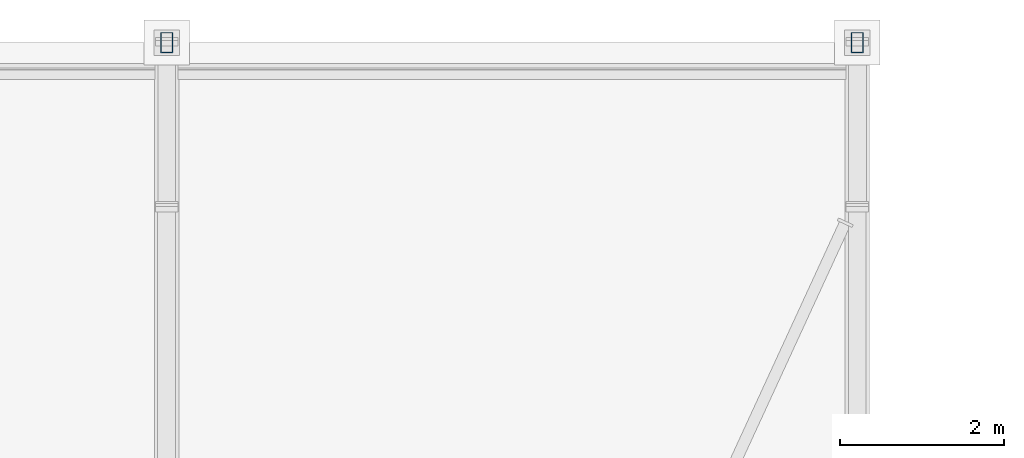
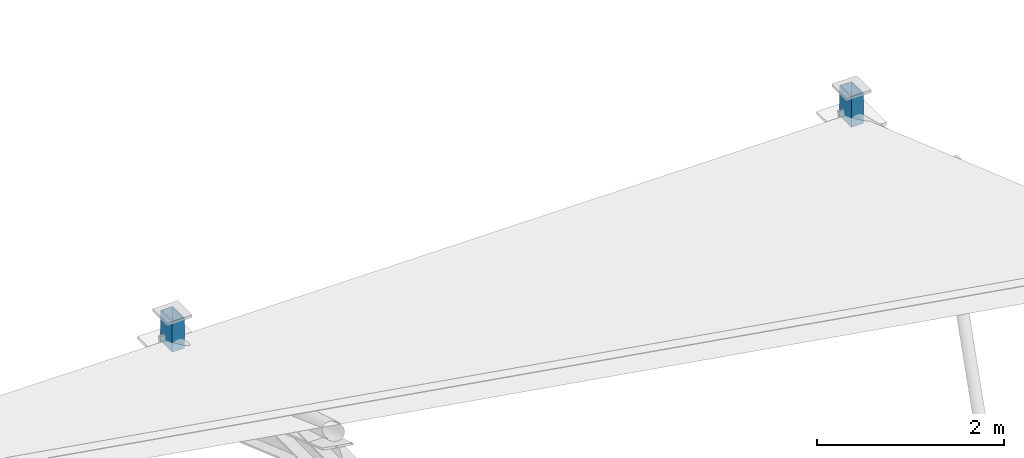
# One storey, part 28 of 57: 2 members.
"""IFC4 building model written with IfcOpenShell, lengths in metres."""

from ifc_helpers import new_model, si_unit, direction, frame, origin, origin_2d, place, context, subcontext, project, spatial, hollow_rectangle, extrude, material, material_profile, profile_set, type_object, element, save


model = new_model("IFC4")

# Units and contexts
model_context = context("Model", 3, precision=1e-05, world=origin(), true_north=direction((0.0, 1.0)))
body_context = subcontext(model_context, "Body", "Model", "MODEL_VIEW")
ifc_project = project(units=[si_unit("LENGTHUNIT", "METRE"), si_unit("AREAUNIT", "SQUARE_METRE"), si_unit("VOLUMEUNIT", "CUBIC_METRE"), si_unit("PLANEANGLEUNIT", "RADIAN"), si_unit("MASSUNIT", "GRAM", prefix="KILO")], contexts=[model_context])

# Site, building, storey
site_placement = place(None, origin())
site = spatial("IfcSite", under=ifc_project, at=site_placement, CompositionType="ELEMENT")
building_placement = place(site_placement, origin())
building = spatial("IfcBuilding", under=site, at=building_placement, Name="Kelarvand Opera House", CompositionType="ELEMENT")
storey_placement = place(building_placement, frame((0.0, 0.0, 33.60009765625)))
storey = spatial("IfcBuildingStorey", under=building, at=storey_placement, Name="Roof", CompositionType="ELEMENT", Elevation=33.60009765625)

# Members
ifc_material = material(Name="Steel S355", Category="steel")
ifc_material_profile = material_profile(ifc_material, hollow_rectangle(XDim=0.14990234375, YDim=0.25, WallThickness=0.010009765625, at=origin_2d()), Name="RHS 250x150x10.0", Category="steel")
ifc_profile_set = profile_set([ifc_material_profile], Name="Steel S355")
member_type = type_object("IfcMemberType", Name="Structural Post RHS 250x150x10.0 PS-RHS250", PredefinedType="POST", material=ifc_profile_set)
for number, where, z_axis, x_axis, name in (
    (1, (42.60009765625, 125.0, -14.10009765625), (0.0, 0.0, 1.0), (1.0, 0.0, 0.0), "V3 Roof Truss 5 Bearing Post N"),
    (2, (51.0, 125.0, -14.10009765625), (0.0, 0.0, 1.0), (1.0, 0.0, 0.0), "V3 Roof Truss 6 Bearing Post N"),
):
    element("IfcMember", number, at=place(storey_placement, frame(where, z_axis=z_axis, x_axis=x_axis)), inside=storey, type_object=member_type, Name=name, PredefinedType="POST", context=body_context, shape_type="SweptSolid", body=[
        extrude(hollow_rectangle(XDim=0.14990234375, YDim=0.25, WallThickness=0.010009765625, at=origin_2d()), origin(), (0.0, 0.0, 1.0), 0.39990234375),
    ])

save(model, "model.ifc")
